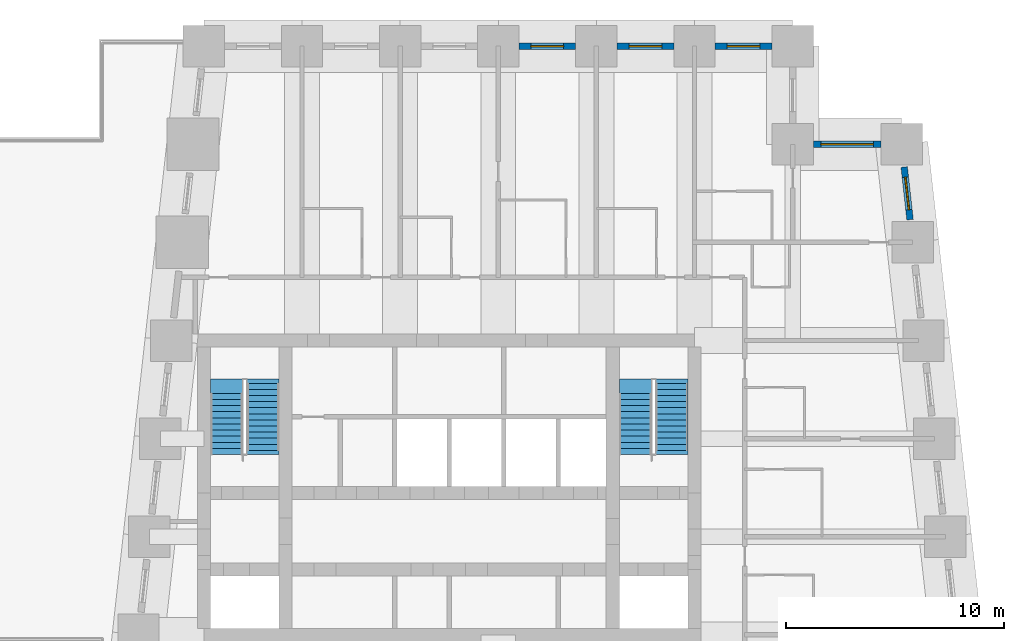
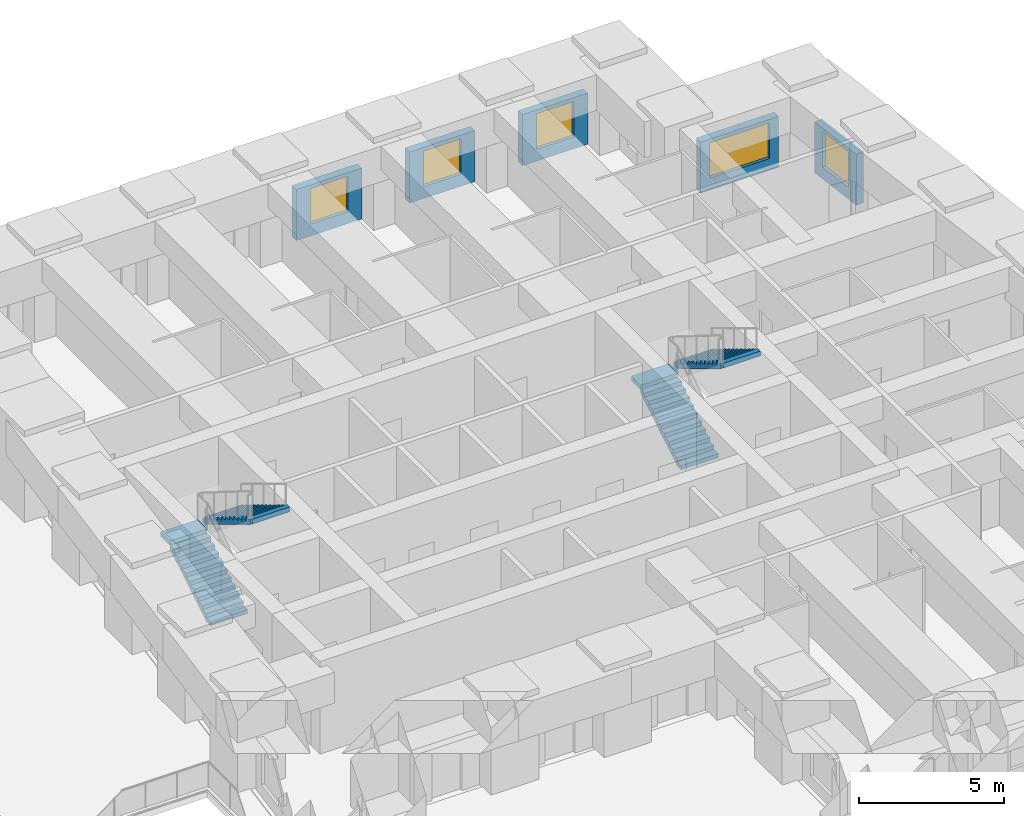
# One storey, part 6 of 7: 5 walls, 5 windows, 4 stair flights, 5 openings, 2 elements without a shape of their own.
"""IFC4 building model written with IfcOpenShell, lengths in metres."""

from ifc_helpers import new_model, si_unit, direction, frame, frame_2d, origin, place, context, subcontext, project, spatial, polyline, rectangle, outline, extrude, material, layer, layer_set, type_object, element, fill, aggregate, save


model = new_model("IFC4")

# Units and contexts
model_context = context("Model", 3, precision=1e-05, world=origin(), true_north=direction((0.0, 1.0)))
body_context = subcontext(model_context, "Body", "Model", "MODEL_VIEW")
ifc_project = project(units=[si_unit("LENGTHUNIT", "METRE"), si_unit("AREAUNIT", "SQUARE_METRE"), si_unit("VOLUMEUNIT", "CUBIC_METRE"), si_unit("PLANEANGLEUNIT", "RADIAN"), si_unit("MASSUNIT", "GRAM", prefix="KILO")], contexts=[model_context])

# Site, building, storey
site_placement = place(None, origin())
site = spatial("IfcSite", under=ifc_project, at=site_placement, CompositionType="ELEMENT")
building_placement = place(site_placement, origin())
building = spatial("IfcBuilding", under=site, at=building_placement, Name="Kilele Tower Hotel", CompositionType="ELEMENT")
storey_placement = place(building_placement, frame((0.0, 0.0, 217.39990234375)))
storey = spatial("IfcBuildingStorey", under=building, at=storey_placement, Name="L56", CompositionType="ELEMENT", Elevation=217.39990234375)

# Wall, opening, window
ifc_material_1 = material(Name="Concrete C40/50 precast", Category="concrete")
ifc_layer_1 = layer(ifc_material_1, 0.260009765625, Name="Precast backing", Category="LoadBearing")
ifc_material_2 = material(Name="Reconstituted stone finish", Category="masonry")
ifc_layer_2 = layer(ifc_material_2, 0.0400390625, Name="Face mix", Category="Finish")
ifc_layer_set = layer_set([ifc_layer_1, ifc_layer_2], Name="Precast concrete C40/50, reconstituted stone finish")
wall_type = type_object("IfcWallType", Name="Precast stone facade wall 300", PredefinedType="STANDARD", material=ifc_layer_set)
wall_1_placement = place(storey_placement, frame((45.884033203125, 32.542724609375, 0.0), z_axis=(0.0, 0.0, 1.0), x_axis=(-0.110343286306, 0.993893535127, 0.0)))
wall_1 = element("IfcWall", 1, at=wall_1_placement, inside=storey, type_object=wall_type, Name="Facade wall L56 edge 6 bay 7", PredefinedType="STANDARD", context=body_context, shape_type="SweptSolid", body=[
    extrude(rectangle(XDim=2.429443359375, YDim=0.300048828125, at=frame_2d((1.21484375, 0.0))), origin(), (0.0, 0.0, 1.0), 2.150146484375),
])
opening_1_placement = place(wall_1_placement, frame((0.464599609375, 0.0, 0.5)))
opening_1 = element("IfcOpeningElement", 2, at=opening_1_placement, cuts=wall_1, Name="Opening W4", PredefinedType="OPENING", context=body_context, shape_type="SweptSolid", body=[
    extrude(rectangle(XDim=1.5, YDim=1.5, at=frame_2d((0.75, 0.75))), frame((0.0, 0.159912109375, 0.0), z_axis=(0.0, -1.0, 0.0), x_axis=(1.0, 0.0, 0.0)), (0.0, 0.0, 1.0), 0.320068359375),
])
ifc_material_3 = material(Name="Aluminium frame, clear double glazing", Category="aluminium")
window_type_1 = type_object("IfcWindowType", Name="Window W4 1500 x 1500", PartitioningType="SINGLE_PANEL", PredefinedType="WINDOW", material=ifc_material_3)
window_1_placement = place(opening_1_placement, origin())
window_1 = element("IfcWindow", 3, at=window_1_placement, inside=storey, type_object=window_type_1, Name="Window L56", OverallHeight=1.5, OverallWidth=1.5, PartitioningType="SINGLE_PANEL", PredefinedType="WINDOW", context=body_context, shape_type="SweptSolid", body=[
    extrude(rectangle(XDim=1.5, YDim=1.5, at=frame_2d((0.75, 0.75))), frame((0.0, 0.030029296875, 0.0), z_axis=(0.0, -1.0, 0.0), x_axis=(1.0, 0.0, 0.0)), (0.0, 0.0, 1.0), 0.06005859375),
])
fill(opening_1, window_1)

wall_2_placement = place(storey_placement, frame((44.550048828125, 36.0, 0.0), z_axis=(0.0, 0.0, 1.0), x_axis=(-1.0, 0.0, 0.0)))
wall_2 = element("IfcWall", 4, at=wall_2_placement, inside=storey, type_object=wall_type, Name="Facade wall L56 edge 7 bay 1", PredefinedType="STANDARD", context=body_context, shape_type="SweptSolid", body=[
    extrude(rectangle(XDim=3.10009765625, YDim=0.300048828125, at=frame_2d((1.550048828125, 0.0))), origin(), (0.0, 0.0, 1.0), 2.150146484375),
])
opening_2_placement = place(wall_2_placement, frame((0.35009765625, 0.0, 0.5)))
opening_2 = element("IfcOpeningElement", 5, at=opening_2_placement, cuts=wall_2, Name="Opening W4", PredefinedType="OPENING", context=body_context, shape_type="SweptSolid", body=[
    extrude(rectangle(XDim=2.39990234375, YDim=1.5, at=frame_2d((1.199951171875, 0.75))), frame((0.0, 0.159912109375, 0.0), z_axis=(0.0, -1.0, 0.0), x_axis=(1.0, 0.0, 0.0)), (0.0, 0.0, 1.0), 0.320068359375),
])
ifc_material_4 = material(Name="Aluminium frame, clear double glazing", Category="aluminium")
window_type_2 = type_object("IfcWindowType", Name="Window W4 2400 x 1500", PartitioningType="SINGLE_PANEL", PredefinedType="WINDOW", material=ifc_material_4)
window_2_placement = place(opening_2_placement, origin())
window_2 = element("IfcWindow", 6, at=window_2_placement, inside=storey, type_object=window_type_2, Name="Window L56", OverallHeight=1.5, OverallWidth=2.39990234375, PartitioningType="SINGLE_PANEL", PredefinedType="WINDOW", context=body_context, shape_type="SweptSolid", body=[
    extrude(rectangle(XDim=2.39990234375, YDim=1.5, at=frame_2d((1.199951171875, 0.75))), frame((0.0, 0.030029296875, 0.0), z_axis=(0.0, -1.0, 0.0), x_axis=(1.0, 0.0, 0.0)), (0.0, 0.0, 1.0), 0.06005859375),
])
fill(opening_2, window_2)

wall_3_placement = place(storey_placement, frame((39.550048828125, 40.5, 0.0), z_axis=(0.0, 0.0, 1.0), x_axis=(-1.0, 0.0, 0.0)))
wall_3 = element("IfcWall", 7, at=wall_3_placement, inside=storey, type_object=wall_type, Name="Facade wall L56 edge 9 bay 1", PredefinedType="STANDARD", context=body_context, shape_type="SweptSolid", body=[
    extrude(rectangle(XDim=2.60009765625, YDim=0.300048828125, at=frame_2d((1.300048828125, 0.0))), origin(), (0.0, 0.0, 1.0), 2.150146484375),
])
opening_3_placement = place(wall_3_placement, frame((0.550048828125, 0.0, 0.5)))
opening_3 = element("IfcOpeningElement", 8, at=opening_3_placement, cuts=wall_3, Name="Opening W4", PredefinedType="OPENING", context=body_context, shape_type="SweptSolid", body=[
    extrude(rectangle(XDim=1.5, YDim=1.5, at=frame_2d((0.75, 0.75))), frame((0.0, 0.159912109375, 0.0), z_axis=(0.0, -1.0, 0.0), x_axis=(1.0, 0.0, 0.0)), (0.0, 0.0, 1.0), 0.320068359375),
])
window_3_placement = place(opening_3_placement, origin())
window_3 = element("IfcWindow", 9, at=window_3_placement, inside=storey, type_object=window_type_1, Name="Window L56", OverallHeight=1.5, OverallWidth=1.5, PartitioningType="SINGLE_PANEL", PredefinedType="WINDOW", context=body_context, shape_type="SweptSolid", body=[
    extrude(rectangle(XDim=1.5, YDim=1.5, at=frame_2d((0.75, 0.75))), frame((0.0, 0.030029296875, 0.0), z_axis=(0.0, -1.0, 0.0), x_axis=(1.0, 0.0, 0.0)), (0.0, 0.0, 1.0), 0.06005859375),
])
fill(opening_3, window_3)

wall_4_placement = place(storey_placement, frame((35.050048828125, 40.5, 0.0), z_axis=(0.0, 0.0, 1.0), x_axis=(-1.0, 0.0, 0.0)))
wall_4 = element("IfcWall", 10, at=wall_4_placement, inside=storey, type_object=wall_type, Name="Facade wall L56 edge 9 bay 2", PredefinedType="STANDARD", context=body_context, shape_type="SweptSolid", body=[
    extrude(rectangle(XDim=2.60009765625, YDim=0.300048828125, at=frame_2d((1.300048828125, 0.0))), origin(), (0.0, 0.0, 1.0), 2.150146484375),
])
opening_4_placement = place(wall_4_placement, frame((0.550048828125, 0.0, 0.5)))
opening_4 = element("IfcOpeningElement", 11, at=opening_4_placement, cuts=wall_4, Name="Opening W4", PredefinedType="OPENING", context=body_context, shape_type="SweptSolid", body=[
    extrude(rectangle(XDim=1.5, YDim=1.5, at=frame_2d((0.75, 0.75))), frame((0.0, 0.159912109375, 0.0), z_axis=(0.0, -1.0, 0.0), x_axis=(1.0, 0.0, 0.0)), (0.0, 0.0, 1.0), 0.320068359375),
])
window_4_placement = place(opening_4_placement, origin())
window_4 = element("IfcWindow", 12, at=window_4_placement, inside=storey, type_object=window_type_1, Name="Window L56", OverallHeight=1.5, OverallWidth=1.5, PartitioningType="SINGLE_PANEL", PredefinedType="WINDOW", context=body_context, shape_type="SweptSolid", body=[
    extrude(rectangle(XDim=1.5, YDim=1.5, at=frame_2d((0.75, 0.75))), frame((0.0, 0.030029296875, 0.0), z_axis=(0.0, -1.0, 0.0), x_axis=(1.0, 0.0, 0.0)), (0.0, 0.0, 1.0), 0.06005859375),
])
fill(opening_4, window_4)

wall_5_placement = place(storey_placement, frame((30.550048828125, 40.5, 0.0), z_axis=(0.0, 0.0, 1.0), x_axis=(-1.0, 0.0, 0.0)))
wall_5 = element("IfcWall", 13, at=wall_5_placement, inside=storey, type_object=wall_type, Name="Facade wall L56 edge 9 bay 3", PredefinedType="STANDARD", context=body_context, shape_type="SweptSolid", body=[
    extrude(rectangle(XDim=2.60009765625, YDim=0.300048828125, at=frame_2d((1.300048828125, 0.0))), origin(), (0.0, 0.0, 1.0), 2.150146484375),
])
opening_5_placement = place(wall_5_placement, frame((0.550048828125, 0.0, 0.5)))
opening_5 = element("IfcOpeningElement", 14, at=opening_5_placement, cuts=wall_5, Name="Opening W4", PredefinedType="OPENING", context=body_context, shape_type="SweptSolid", body=[
    extrude(rectangle(XDim=1.5, YDim=1.5, at=frame_2d((0.75, 0.75))), frame((0.0, 0.159912109375, 0.0), z_axis=(0.0, -1.0, 0.0), x_axis=(1.0, 0.0, 0.0)), (0.0, 0.0, 1.0), 0.320068359375),
])
window_5_placement = place(opening_5_placement, origin())
window_5 = element("IfcWindow", 15, at=window_5_placement, inside=storey, type_object=window_type_1, Name="Window L56", OverallHeight=1.5, OverallWidth=1.5, PartitioningType="SINGLE_PANEL", PredefinedType="WINDOW", context=body_context, shape_type="SweptSolid", body=[
    extrude(rectangle(XDim=1.5, YDim=1.5, at=frame_2d((0.75, 0.75))), frame((0.0, 0.030029296875, 0.0), z_axis=(0.0, -1.0, 0.0), x_axis=(1.0, 0.0, 0.0)), (0.0, 0.0, 1.0), 0.06005859375),
])
fill(opening_5, window_5)

# Stair, stair flights
ifc_material_5 = material(Name="Precast concrete C40/50", Category="concrete")
stair_type = type_object("IfcStairType", Name="Stair 1475 x 3900", PredefinedType="HALF_TURN_STAIR", material=ifc_material_5)
stair_1_placement = place(storey_placement, origin())
stair_1 = element("IfcStair", 16, at=stair_1_placement, inside=storey, type_object=stair_type, Name="Stair 1 L56", PredefinedType="HALF_TURN_STAIR")
ifc_material_6 = material(Name="Precast concrete C40/50", Category="concrete")
stair_flight_type = type_object("IfcStairFlightType", Name="Flight 1475 riser 169.6", PredefinedType="STRAIGHT", material=ifc_material_6)
stair_flight_1_placement = place(storey_placement, frame((14.53759765625, 21.77490234375, 0.0), z_axis=(0.0, 0.0, 1.0), x_axis=(0.0, 1.0, 0.0)))
stair_flight_1 = element("IfcStairFlight", 17, at=stair_flight_1_placement, type_object=stair_flight_type, Name="ST1 flight 1", NumberOfRisers=11, NumberOfTreads=10, PredefinedType="STRAIGHT", RiserHeight=0.169565217, TreadLength=0.28, context=body_context, shape_type="SweptSolid", body=[
    extrude(outline(polyline([(0.0, 0.0), (0.0, 0.169677734375), (0.280029296875, 0.169677734375), (0.280029296875, 0.339111328125), (0.56005859375, 0.339111328125), (0.56005859375, 0.5087890625), (0.840087890625, 0.5087890625), (0.840087890625, 0.67822265625), (1.1201171875, 0.67822265625), (1.1201171875, 0.847900390625), (1.39990234375, 0.847900390625), (1.39990234375, 1.017333984375), (1.679931640625, 1.017333984375), (1.679931640625, 1.18701171875), (1.9599609375, 1.18701171875), (1.9599609375, 1.3564453125), (2.239990234375, 1.3564453125), (2.239990234375, 1.526123046875), (2.52001953125, 1.526123046875), (2.52001953125, 1.695556640625), (2.800048828125, 1.695556640625), (2.800048828125, 1.865234375), (2.800048828125, 1.5205078125), (0.289306640625, 0.0), (0.0, 0.0)])), frame((0.0, 0.737548828125, 0.0), z_axis=(0.0, -1.0, 0.0), x_axis=(1.0, 0.0, 0.0)), (0.0, 0.0, 1.0), 1.47509765625),
    extrude(outline(polyline([(2.800048828125, 0.737548828125), (2.800048828125, -0.7373046875), (3.4501953125, -0.7373046875), (3.4501953125, 0.737548828125), (2.800048828125, 0.737548828125)])), frame((0.0, 0.0, 1.665283203125)), (0.0, 0.0, 1.0), 0.199951171875),
])
stair_flight_2_placement = place(storey_placement, frame((16.21240234375, 25.0400390625, 1.865234375), z_axis=(0.0, 0.0, 1.0), x_axis=(0.0, -1.0, 0.0)))
stair_flight_2 = element("IfcStairFlight", 18, at=stair_flight_2_placement, type_object=stair_flight_type, Name="ST1 flight 2", NumberOfRisers=12, NumberOfTreads=11, PredefinedType="STRAIGHT", RiserHeight=0.169565217, TreadLength=0.28, context=body_context, shape_type="SweptSolid", body=[
    extrude(outline(polyline([(0.0, 0.0), (0.0, 0.169677734375), (0.280029296875, 0.169677734375), (0.280029296875, 0.339111328125), (0.56005859375, 0.339111328125), (0.56005859375, 0.5087890625), (0.840087890625, 0.5087890625), (0.840087890625, 0.67822265625), (1.1201171875, 0.67822265625), (1.1201171875, 0.847900390625), (1.39990234375, 0.847900390625), (1.39990234375, 1.017333984375), (1.679931640625, 1.017333984375), (1.679931640625, 1.18701171875), (1.9599609375, 1.18701171875), (1.9599609375, 1.3564453125), (2.239990234375, 1.3564453125), (2.239990234375, 1.526123046875), (2.52001953125, 1.526123046875), (2.52001953125, 1.695556640625), (2.800048828125, 1.695556640625), (2.800048828125, 1.865234375), (3.080078125, 1.865234375), (3.080078125, 2.03466796875), (3.080078125, 1.68994140625), (0.289306640625, 0.0), (0.0, 0.0)])), frame((0.0, 0.737548828125, 0.0), z_axis=(0.0, -1.0, 0.0), x_axis=(1.0, 0.0, 0.0)), (0.0, 0.0, 1.0), 1.47509765625),
    extrude(outline(polyline([(0.0, -0.7373046875), (0.0, 0.737548828125), (-0.18505859375, 0.737548828125), (-0.18505859375, -0.7373046875), (0.0, -0.7373046875)])), frame((0.0, 0.0, -0.199951171875)), (0.0, 0.0, 1.0), 0.199951171875),
    extrude(outline(polyline([(3.26513671875, -0.7373046875), (3.26513671875, 0.737548828125), (3.080078125, 0.737548828125), (3.080078125, -0.7373046875), (3.26513671875, -0.7373046875)])), frame((0.0, 0.0, 1.8349609375)), (0.0, 0.0, 1.0), 0.199951171875),
])
aggregate(stair_1, [stair_flight_1, stair_flight_2])

stair_2_placement = place(storey_placement, origin())
stair_2 = element("IfcStair", 19, at=stair_2_placement, inside=storey, type_object=stair_type, Name="Stair 2 L56", PredefinedType="HALF_TURN_STAIR")
stair_flight_3_placement = place(storey_placement, frame((33.28759765625, 21.77490234375, 0.0), z_axis=(0.0, 0.0, 1.0), x_axis=(0.0, 1.0, 0.0)))
stair_flight_3 = element("IfcStairFlight", 20, at=stair_flight_3_placement, type_object=stair_flight_type, Name="ST2 flight 1", NumberOfRisers=11, NumberOfTreads=10, PredefinedType="STRAIGHT", RiserHeight=0.169565217, TreadLength=0.28, context=body_context, shape_type="SweptSolid", body=[
    extrude(outline(polyline([(0.0, 0.0), (0.0, 0.169677734375), (0.280029296875, 0.169677734375), (0.280029296875, 0.339111328125), (0.56005859375, 0.339111328125), (0.56005859375, 0.5087890625), (0.840087890625, 0.5087890625), (0.840087890625, 0.67822265625), (1.1201171875, 0.67822265625), (1.1201171875, 0.847900390625), (1.39990234375, 0.847900390625), (1.39990234375, 1.017333984375), (1.679931640625, 1.017333984375), (1.679931640625, 1.18701171875), (1.9599609375, 1.18701171875), (1.9599609375, 1.3564453125), (2.239990234375, 1.3564453125), (2.239990234375, 1.526123046875), (2.52001953125, 1.526123046875), (2.52001953125, 1.695556640625), (2.800048828125, 1.695556640625), (2.800048828125, 1.865234375), (2.800048828125, 1.5205078125), (0.289306640625, 0.0), (0.0, 0.0)])), frame((0.0, 0.737548828125, 0.0), z_axis=(0.0, -1.0, 0.0), x_axis=(1.0, 0.0, 0.0)), (0.0, 0.0, 1.0), 1.47509765625),
    extrude(outline(polyline([(2.800048828125, 0.737548828125), (2.800048828125, -0.7373046875), (3.4501953125, -0.7373046875), (3.4501953125, 0.737548828125), (2.800048828125, 0.737548828125)])), frame((0.0, 0.0, 1.665283203125)), (0.0, 0.0, 1.0), 0.199951171875),
])
stair_flight_4_placement = place(storey_placement, frame((34.96240234375, 25.0400390625, 1.865234375), z_axis=(0.0, 0.0, 1.0), x_axis=(0.0, -1.0, 0.0)))
stair_flight_4 = element("IfcStairFlight", 21, at=stair_flight_4_placement, type_object=stair_flight_type, Name="ST2 flight 2", NumberOfRisers=12, NumberOfTreads=11, PredefinedType="STRAIGHT", RiserHeight=0.169565217, TreadLength=0.28, context=body_context, shape_type="SweptSolid", body=[
    extrude(outline(polyline([(0.0, 0.0), (0.0, 0.169677734375), (0.280029296875, 0.169677734375), (0.280029296875, 0.339111328125), (0.56005859375, 0.339111328125), (0.56005859375, 0.5087890625), (0.840087890625, 0.5087890625), (0.840087890625, 0.67822265625), (1.1201171875, 0.67822265625), (1.1201171875, 0.847900390625), (1.39990234375, 0.847900390625), (1.39990234375, 1.017333984375), (1.679931640625, 1.017333984375), (1.679931640625, 1.18701171875), (1.9599609375, 1.18701171875), (1.9599609375, 1.3564453125), (2.239990234375, 1.3564453125), (2.239990234375, 1.526123046875), (2.52001953125, 1.526123046875), (2.52001953125, 1.695556640625), (2.800048828125, 1.695556640625), (2.800048828125, 1.865234375), (3.080078125, 1.865234375), (3.080078125, 2.03466796875), (3.080078125, 1.68994140625), (0.289306640625, 0.0), (0.0, 0.0)])), frame((0.0, 0.737548828125, 0.0), z_axis=(0.0, -1.0, 0.0), x_axis=(1.0, 0.0, 0.0)), (0.0, 0.0, 1.0), 1.47509765625),
    extrude(outline(polyline([(0.0, -0.7373046875), (0.0, 0.737548828125), (-0.18505859375, 0.737548828125), (-0.18505859375, -0.7373046875), (0.0, -0.7373046875)])), frame((0.0, 0.0, -0.199951171875)), (0.0, 0.0, 1.0), 0.199951171875),
    extrude(outline(polyline([(3.26513671875, -0.7373046875), (3.26513671875, 0.737548828125), (3.080078125, 0.737548828125), (3.080078125, -0.7373046875), (3.26513671875, -0.7373046875)])), frame((0.0, 0.0, 1.8349609375)), (0.0, 0.0, 1.0), 0.199951171875),
])
aggregate(stair_2, [stair_flight_3, stair_flight_4])

save(model, "model.ifc")
